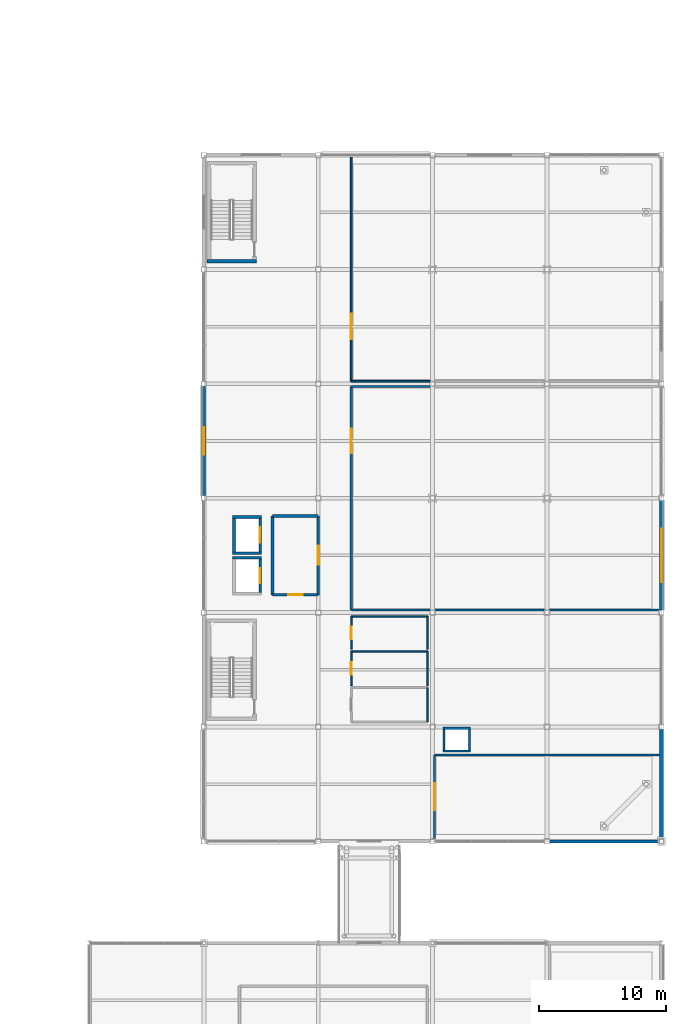
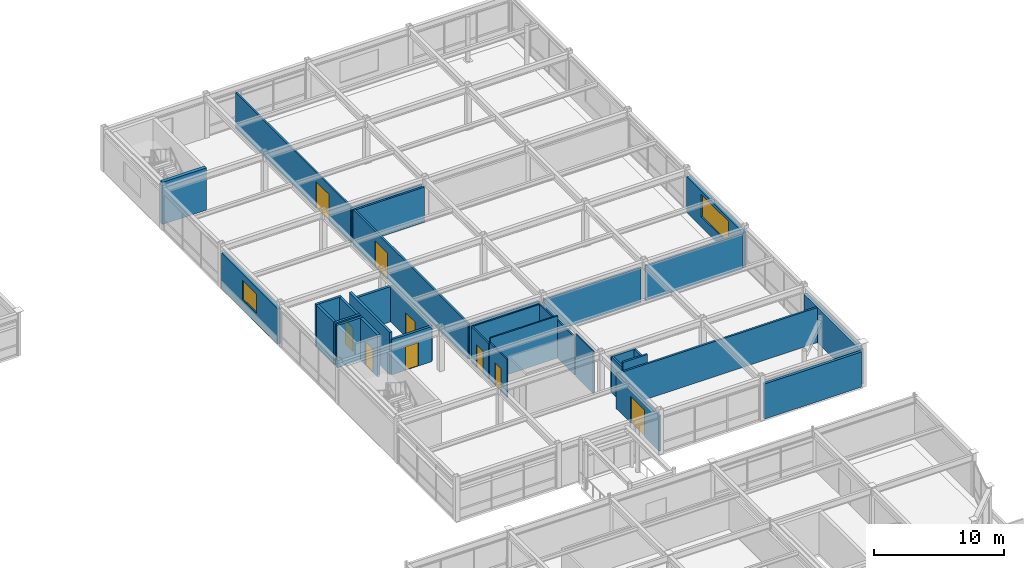
# One storey, part 50 of 70: 35 walls, 9 doors, 2 windows, 11 openings.
"""IFC4 building model written with IfcOpenShell, lengths in metres."""

from ifc_helpers import new_model, si_unit, direction, frame, frame_2d, origin, place, context, subcontext, project, spatial, rectangle, extrude, material, layer, layer_set, type_object, element, fill, save


model = new_model("IFC4")

# Units and contexts
model_context = context("Model", 3, precision=1e-05, world=origin(), true_north=direction((0.0, 1.0)))
body_context = subcontext(model_context, "Body", "Model", "MODEL_VIEW")
ifc_project = project(units=[si_unit("LENGTHUNIT", "METRE"), si_unit("AREAUNIT", "SQUARE_METRE"), si_unit("VOLUMEUNIT", "CUBIC_METRE"), si_unit("PLANEANGLEUNIT", "RADIAN"), si_unit("MASSUNIT", "GRAM", prefix="KILO")], contexts=[model_context])

# Site, building, storey
site_placement = place(None, origin())
site = spatial("IfcSite", under=ifc_project, at=site_placement, CompositionType="ELEMENT")
building_placement = place(site_placement, origin())
building = spatial("IfcBuilding", under=site, at=building_placement, Name="Suzunagisa Mobility Hub", CompositionType="ELEMENT")
storey_placement = place(building_placement, frame((0.0, 0.0, 13.5)))
storey = spatial("IfcBuildingStorey", under=building, at=storey_placement, Name="L03", CompositionType="ELEMENT", Elevation=13.5)

# Wall, opening, window
ifc_material_1 = material(Name="Porcelain-Faced Insulated Concrete C30/37 Wall", Category="concrete")
ifc_layer_1 = layer(ifc_material_1, 0.260009765625)
ifc_layer_set_1 = layer_set([ifc_layer_1], Name="Porcelain-Faced Insulated Concrete C30/37 Wall")
wall_type_1 = type_object("IfcWallType", Name="Exterior Wall EW-03 260mm", PredefinedType="SOLIDWALL", material=ifc_layer_set_1)
wall_1_placement = place(storey_placement, frame((144.0, 79.800048828125, 0.0), z_axis=(0.0, 0.0, 1.0), x_axis=(0.0, -1.0, 0.0)))
wall_1 = element("IfcWall", 1, at=wall_1_placement, inside=storey, type_object=wall_type_1, Name="L03 Exterior Facade Wall EW-390", PredefinedType="SOLIDWALL", context=body_context, shape_type="SweptSolid", body=[
    extrude(rectangle(XDim=8.60009765625, YDim=0.260009765625, at=frame_2d((4.300048828125, 0.0))), origin(), (0.0, 0.0, 1.0), 3.362060546875),
])
opening_1_placement = place(wall_1_placement, frame((3.199951171875, 0.0, 0.949951171875)))
opening_1 = element("IfcOpeningElement", 2, at=opening_1_placement, cuts=wall_1, Name="Opening WN-08", PredefinedType="OPENING", context=body_context, shape_type="SweptSolid", body=[
    extrude(rectangle(XDim=2.199951171875, YDim=1.800048828125, at=frame_2d((1.10009765625, 0.89990234375))), frame((0.0, 0.14111328125, 0.0), z_axis=(0.0, -1.0, 0.0), x_axis=(1.0, 0.0, 0.0)), (0.0, 0.0, 1.0), 0.281982421875),
])
ifc_material_2 = material(Name="Thermally Broken Anodized Aluminum and Low-E Double Glazing", Category="aluminium")
window_type_1 = type_object("IfcWindowType", Name="Aluminum Window WN-08 2200x1800", PartitioningType="SINGLE_PANEL", PredefinedType="WINDOW", material=ifc_material_2)
window_1_placement = place(opening_1_placement, origin())
window_1 = element("IfcWindow", 3, at=window_1_placement, inside=storey, type_object=window_type_1, Name="L03 Scheduled Facade Window WN-134", OverallHeight=1.800048828125, OverallWidth=2.199951171875, PartitioningType="SINGLE_PANEL", PredefinedType="WINDOW", context=body_context, shape_type="SweptSolid", body=[
    extrude(rectangle(XDim=2.199951171875, YDim=1.800048828125, at=frame_2d((1.10009765625, 0.89990234375))), frame((0.0, 0.030029296875, 0.0), z_axis=(0.0, -1.0, 0.0), x_axis=(1.0, 0.0, 0.0)), (0.0, 0.0, 1.0), 0.06005859375),
])
fill(opening_1, window_1)

# Wall
ifc_material_3 = material(Name="Lightweight Insulated Autoclaved Concrete C30/37 Wall", Category="concrete")
ifc_layer_2 = layer(ifc_material_3, 0.239990234375)
ifc_layer_set_2 = layer_set([ifc_layer_2], Name="Lightweight Insulated Autoclaved Concrete C30/37 Wall")
wall_type_2 = type_object("IfcWallType", Name="Exterior Wall EW-04 240mm", PredefinedType="SOLIDWALL", material=ifc_layer_set_2)
wall_2_placement = place(storey_placement, frame((171.199951171875, 44.0, 0.0), z_axis=(0.0, 0.0, 1.0), x_axis=(1.0, 0.0, 0.0)))
element("IfcWall", 4, at=wall_2_placement, inside=storey, type_object=wall_type_2, Name="L03 Exterior Facade Wall EW-383", PredefinedType="SOLIDWALL", context=body_context, shape_type="SweptSolid", body=[
    extrude(rectangle(XDim=8.60009765625, YDim=0.239990234375, at=frame_2d((4.300048828125, 0.0))), origin(), (0.0, 0.0, 1.0), 3.2900390625),
])

# Wall, opening, window
ifc_layer_3 = layer(ifc_material_1, 0.280029296875)
ifc_layer_set_3 = layer_set([ifc_layer_3], Name="Porcelain-Faced Insulated Concrete C30/37 Wall")
wall_type_3 = type_object("IfcWallType", Name="Exterior Wall EW-08 280mm", PredefinedType="SOLIDWALL", material=ifc_layer_set_3)
wall_3_placement = place(storey_placement, frame((180.0, 62.199951171875, 0.0), z_axis=(0.0, 0.0, 1.0), x_axis=(0.0, 1.0, 0.0)))
wall_3 = element("IfcWall", 5, at=wall_3_placement, inside=storey, type_object=wall_type_3, Name="L03 Exterior Facade Wall EW-385", PredefinedType="SOLIDWALL", context=body_context, shape_type="SweptSolid", body=[
    extrude(rectangle(XDim=8.60009765625, YDim=0.280029296875, at=frame_2d((4.300048828125, 0.0))), origin(), (0.0, 0.0, 1.0), 3.362060546875),
])
opening_2_placement = place(wall_3_placement, frame((2.199951171875, 0.0, 0.949951171875)))
opening_2 = element("IfcOpeningElement", 6, at=opening_2_placement, cuts=wall_3, Name="Opening WN-16", PredefinedType="OPENING", context=body_context, shape_type="SweptSolid", body=[
    extrude(rectangle(XDim=4.199951171875, YDim=2.10009765625, at=frame_2d((2.10009765625, 1.050048828125))), frame((0.0, 0.15087890625, 0.0), z_axis=(0.0, -1.0, 0.0), x_axis=(1.0, 0.0, 0.0)), (0.0, 0.0, 1.0), 0.302001953125),
])
window_type_2 = type_object("IfcWindowType", Name="Aluminum Window WN-16 4200x2100", PartitioningType="SINGLE_PANEL", PredefinedType="WINDOW", material=ifc_material_2)
window_2_placement = place(opening_2_placement, origin())
window_2 = element("IfcWindow", 7, at=window_2_placement, inside=storey, type_object=window_type_2, Name="L03 Scheduled Facade Window WN-129", OverallHeight=2.10009765625, OverallWidth=4.199951171875, PartitioningType="SINGLE_PANEL", PredefinedType="WINDOW", context=body_context, shape_type="SweptSolid", body=[
    extrude(rectangle(XDim=4.199951171875, YDim=2.10009765625, at=frame_2d((2.10009765625, 1.050048828125))), frame((0.0, 0.030029296875, 0.0), z_axis=(0.0, -1.0, 0.0), x_axis=(1.0, 0.0, 0.0)), (0.0, 0.0, 1.0), 0.06005859375),
])
fill(opening_2, window_2)

# Walls
ifc_material_4 = material(Name="Insulated Precast Concrete C35/45 Panel", Category="concrete")
ifc_layer_4 = layer(ifc_material_4, 0.300048828125)
ifc_layer_set_4 = layer_set([ifc_layer_4], Name="Insulated Precast Concrete C35/45 Panel")
wall_type_4 = type_object("IfcWallType", Name="Exterior Wall EW-09 300mm", PredefinedType="SOLIDWALL", material=ifc_layer_set_4)
wall_4_placement = place(storey_placement, frame((180.0, 44.199951171875, 0.0), z_axis=(0.0, 0.0, 1.0), x_axis=(0.0, 1.0, 0.0)))
element("IfcWall", 8, at=wall_4_placement, inside=storey, type_object=wall_type_4, Name="L03 Exterior Facade Wall EW-384", PredefinedType="SOLIDWALL", context=body_context, shape_type="SweptSolid", body=[
    extrude(rectangle(XDim=8.60009765625, YDim=0.300048828125, at=frame_2d((4.300048828125, 0.0))), origin(), (0.0, 0.0, 1.0), 3.2900390625),
])
ifc_material_5 = material(Name="Concrete C35/45", Category="concrete")
ifc_layer_5 = layer(ifc_material_5, 0.31005859375)
ifc_layer_set_5 = layer_set([ifc_layer_5], Name="Concrete C35/45")
wall_type_5 = type_object("IfcWallType", Name="Interior Wall IW-01 310mm", PredefinedType="SHEAR", material=ifc_layer_set_5)
wall_5_placement = place(storey_placement, frame((144.25, 89.64501953125, 0.0), z_axis=(0.0, 0.0, 1.0), x_axis=(1.0, 0.0, 0.0)))
element("IfcWall", 9, at=wall_5_placement, inside=storey, type_object=wall_type_5, Name="L03 Core C5B Shear Wall SW-477", PredefinedType="SHEAR", context=body_context, shape_type="SweptSolid", body=[
    extrude(rectangle(XDim=3.89990234375, YDim=0.31005859375, at=frame_2d((1.949951171875, 0.0))), origin(), (0.0, 0.0, 1.0), 3.949951171875),
])
ifc_material_6 = material(Name="Moisture-Resistant Gypsum Partition", Category="gypsum")
ifc_layer_6 = layer(ifc_material_6, 0.1201171875)
ifc_layer_set_6 = layer_set([ifc_layer_6], Name="Moisture-Resistant Gypsum Partition")
wall_type_6 = type_object("IfcWallType", Name="Interior Wall IW-02 120mm", PredefinedType="PARTITIONING", material=ifc_layer_set_6)
wall_6_placement = place(storey_placement, frame((161.60009765625, 53.39990234375, 0.0), z_axis=(0.0, 0.0, 1.0), x_axis=(0.0, 1.0, 0.0)))
element("IfcWall", 10, at=wall_6_placement, inside=storey, type_object=wall_type_6, Name="L03 Male Restroom WC L03 Partition PW-608", PredefinedType="PARTITIONING", context=body_context, shape_type="SweptSolid", body=[
    extrude(rectangle(XDim=2.7001953125, YDim=0.1201171875, at=frame_2d((1.35009765625, 0.0))), origin(), (0.0, 0.0, 1.0), 3.949951171875),
])
wall_7_placement = place(storey_placement, frame((155.60009765625, 58.949951171875, 0.0), z_axis=(0.0, 0.0, 1.0), x_axis=(1.0, 0.0, 0.0)))
element("IfcWall", 11, at=wall_7_placement, inside=storey, type_object=wall_type_6, Name="L03 Female Restroom WC L03 Partition PW-609", PredefinedType="PARTITIONING", context=body_context, shape_type="SweptSolid", body=[
    extrude(rectangle(XDim=6.0, YDim=0.1201171875, at=frame_2d((3.0, 0.0))), origin(), (0.0, 0.0, 1.0), 3.949951171875),
])

# Wall, opening, door
wall_8_placement = place(storey_placement, frame((155.60009765625, 56.25, 0.0), z_axis=(0.0, 0.0, 1.0), x_axis=(0.0, 1.0, 0.0)))
wall_8 = element("IfcWall", 12, at=wall_8_placement, inside=storey, type_object=wall_type_6, Name="L03 Female Restroom WC L03 Partition PW-610", PredefinedType="PARTITIONING", context=body_context, shape_type="SweptSolid", body=[
    extrude(rectangle(XDim=2.699951171875, YDim=0.1201171875, at=frame_2d((1.35009765625, 0.0))), origin(), (0.0, 0.0, 1.0), 3.550048828125),
])
opening_3_placement = place(wall_8_placement, frame((0.875, 0.0, 0.0)))
opening_3 = element("IfcOpeningElement", 13, at=opening_3_placement, cuts=wall_8, Name="Opening DR-19", PredefinedType="OPENING", context=body_context, shape_type="SweptSolid", body=[
    extrude(rectangle(XDim=0.949951171875, YDim=2.14990234375, at=frame_2d((0.47509765625, 1.074951171875))), frame((0.0, 0.071044921875, 0.0), z_axis=(0.0, -1.0, 0.0), x_axis=(1.0, 0.0, 0.0)), (0.0, 0.0, 1.0), 0.14208984375),
])
ifc_material_7 = material(Name="Sanitary Restroom Acoustic Door")
door_type_1 = type_object("IfcDoorType", Name="Interior Door DR-19 950x2150", OperationType="SINGLE_SWING_LEFT", PredefinedType="DOOR", material=ifc_material_7)
door_1_placement = place(opening_3_placement, origin())
door_1 = element("IfcDoor", 14, at=door_1_placement, inside=storey, type_object=door_type_1, Name="L03 Female Restroom WC L03 Door DR-150", OperationType="SINGLE_SWING_LEFT", OverallHeight=2.14990234375, OverallWidth=0.949951171875, PredefinedType="DOOR", context=body_context, shape_type="SweptSolid", body=[
    extrude(rectangle(XDim=0.949951171875, YDim=2.14990234375, at=frame_2d((0.47509765625, 1.074951171875))), frame((0.0, 0.02490234375, 0.0), z_axis=(0.0, -1.0, 0.0), x_axis=(1.0, 0.0, 0.0)), (0.0, 0.0, 1.0), 0.050048828125),
])
fill(opening_3, door_1)

# Walls
wall_9_placement = place(storey_placement, frame((161.60009765625, 56.25, 0.0), z_axis=(0.0, 0.0, 1.0), x_axis=(0.0, 1.0, 0.0)))
element("IfcWall", 15, at=wall_9_placement, inside=storey, type_object=wall_type_6, Name="L03 Female Restroom WC L03 Partition PW-611", PredefinedType="PARTITIONING", context=body_context, shape_type="SweptSolid", body=[
    extrude(rectangle(XDim=2.699951171875, YDim=0.1201171875, at=frame_2d((1.35009765625, 0.0))), origin(), (0.0, 0.0, 1.0), 3.550048828125),
])
wall_10_placement = place(storey_placement, frame((155.60009765625, 61.699951171875, 0.0), z_axis=(0.0, 0.0, 1.0), x_axis=(1.0, 0.0, 0.0)))
element("IfcWall", 16, at=wall_10_placement, inside=storey, type_object=wall_type_6, Name="L03 Accessible Restroom WC L03 Partition PW-612", PredefinedType="PARTITIONING", context=body_context, shape_type="SweptSolid", body=[
    extrude(rectangle(XDim=6.0, YDim=0.1201171875, at=frame_2d((3.0, 0.0))), origin(), (0.0, 0.0, 1.0), 3.362060546875),
])

# Wall, opening, door
wall_11_placement = place(storey_placement, frame((155.60009765625, 59.10009765625, 0.0), z_axis=(0.0, 0.0, 1.0), x_axis=(0.0, 1.0, 0.0)))
wall_11 = element("IfcWall", 17, at=wall_11_placement, inside=storey, type_object=wall_type_6, Name="L03 Accessible Restroom WC L03 Partition PW-613", PredefinedType="PARTITIONING", context=body_context, shape_type="SweptSolid", body=[
    extrude(rectangle(XDim=2.599853515625, YDim=0.1201171875, at=frame_2d((1.2998046875, 0.0))), origin(), (0.0, 0.0, 1.0), 3.362060546875),
])
opening_4_placement = place(wall_11_placement, frame((0.800048828125, 0.0, 0.0)))
opening_4 = element("IfcOpeningElement", 18, at=opening_4_placement, cuts=wall_11, Name="Opening DR-01", PredefinedType="OPENING", context=body_context, shape_type="SweptSolid", body=[
    extrude(rectangle(XDim=1.0, YDim=2.14990234375, at=frame_2d((0.5, 1.074951171875))), frame((0.0, 0.071044921875, 0.0), z_axis=(0.0, -1.0, 0.0), x_axis=(1.0, 0.0, 0.0)), (0.0, 0.0, 1.0), 0.14208984375),
])
ifc_material_8 = material(Name="Barrier-Free Accessible WC Door")
door_type_2 = type_object("IfcDoorType", Name="Interior Door DR-01 1000x2150", OperationType="SINGLE_SWING_LEFT", PredefinedType="DOOR", material=ifc_material_8)
door_2_placement = place(opening_4_placement, origin())
door_2 = element("IfcDoor", 19, at=door_2_placement, inside=storey, type_object=door_type_2, Name="L03 Accessible Restroom WC L03 Door DR-151", OperationType="SINGLE_SWING_RIGHT", OverallHeight=2.14990234375, OverallWidth=1.0, PredefinedType="DOOR", context=body_context, shape_type="SweptSolid", body=[
    extrude(rectangle(XDim=1.0, YDim=2.14990234375, at=frame_2d((0.5, 1.074951171875))), frame((0.0, 0.02490234375, 0.0), z_axis=(0.0, -1.0, 0.0), x_axis=(1.0, 0.0, 0.0)), (0.0, 0.0, 1.0), 0.050048828125),
])
fill(opening_4, door_2)

# Wall
wall_12_placement = place(storey_placement, frame((161.60009765625, 59.10009765625, 0.0), z_axis=(0.0, 0.0, 1.0), x_axis=(0.0, 1.0, 0.0)))
element("IfcWall", 20, at=wall_12_placement, inside=storey, type_object=wall_type_6, Name="L03 Accessible Restroom WC L03 Partition PW-614", PredefinedType="PARTITIONING", context=body_context, shape_type="SweptSolid", body=[
    extrude(rectangle(XDim=2.599853515625, YDim=0.1201171875, at=frame_2d((1.2998046875, 0.0))), origin(), (0.0, 0.0, 1.0), 3.362060546875),
])

# Wall, opening, door
ifc_material_9 = material(Name="Fire-Rated Gypsum Stud Partition", Category="gypsum")
ifc_layer_7 = layer(ifc_material_9, 0.2099609375)
ifc_layer_set_7 = layer_set([ifc_layer_7], Name="Fire-Rated Gypsum Stud Partition")
wall_type_7 = type_object("IfcWallType", Name="Interior Wall IW-03 210mm", PredefinedType="PARTITIONING", material=ifc_layer_set_7)
wall_13_placement = place(storey_placement, frame((148.425048828125, 63.580078125, 0.0), z_axis=(0.0, 0.0, 1.0), x_axis=(0.0, 1.0, 0.0)))
wall_13 = element("IfcWall", 21, at=wall_13_placement, inside=storey, type_object=wall_type_7, Name="L03 Lift LF-05 Shaft Front Wall", PredefinedType="PARTITIONING", context=body_context, shape_type="SweptSolid", body=[
    extrude(rectangle(XDim=2.639892578125, YDim=0.2099609375, at=frame_2d((1.31982421875, 0.0))), origin(), (0.0, 0.0, 1.0), 3.949951171875),
])
opening_5_placement = place(wall_13_placement, frame((0.719970703125, 0.0, 0.0)))
opening_5 = element("IfcOpeningElement", 22, at=opening_5_placement, cuts=wall_13, Name="Opening LD-03", PredefinedType="OPENING", context=body_context, shape_type="SweptSolid", body=[
    extrude(rectangle(XDim=1.199951171875, YDim=2.199951171875, at=frame_2d((0.60009765625, 1.10009765625))), frame((0.0, 0.115966796875, 0.0), z_axis=(0.0, -1.0, 0.0), x_axis=(1.0, 0.0, 0.0)), (0.0, 0.0, 1.0), 0.23193359375),
])
ifc_material_10 = material(Name="Brushed Stainless Steel SUS304", Category="metal")
door_type_3 = type_object("IfcDoorType", Name="Lift Landing Sliding Door LD-03 1200x2200", OperationType="SLIDING_TO_LEFT", PredefinedType="DOOR", material=ifc_material_10)
door_3_placement = place(opening_5_placement, origin())
door_3 = element("IfcDoor", 23, at=door_3_placement, inside=storey, type_object=door_type_3, Name="L03 Lift LF-05 Sliding Landing Door", OperationType="SLIDING_TO_RIGHT", OverallHeight=2.199951171875, OverallWidth=1.199951171875, PredefinedType="DOOR", context=body_context, shape_type="SweptSolid", body=[
    extrude(rectangle(XDim=1.199951171875, YDim=2.199951171875, at=frame_2d((0.60009765625, 1.10009765625))), frame((0.0, 0.02490234375, 0.0), z_axis=(0.0, -1.0, 0.0), x_axis=(1.0, 0.0, 0.0)), (0.0, 0.0, 1.0), 0.050048828125),
])
fill(opening_5, door_3)

# Wall
wall_14_placement = place(storey_placement, frame((146.27001953125, 66.324951171875, 0.0), z_axis=(0.0, 0.0, 1.0), x_axis=(1.0, 0.0, 0.0)))
element("IfcWall", 24, at=wall_14_placement, inside=storey, type_object=wall_type_7, Name="L03 Lift LF-05 Shaft North Wall", PredefinedType="PARTITIONING", context=body_context, shape_type="SweptSolid", body=[
    extrude(rectangle(XDim=2.260009765625, YDim=0.2099609375, at=frame_2d((1.1298828125, 0.0))), origin(), (0.0, 0.0, 1.0), 3.949951171875),
])

# Wall, opening, door
wall_15_placement = place(storey_placement, frame((148.425048828125, 66.780029296875, 0.0), z_axis=(0.0, 0.0, 1.0), x_axis=(0.0, 1.0, 0.0)))
wall_15 = element("IfcWall", 25, at=wall_15_placement, inside=storey, type_object=wall_type_7, Name="L03 Lift LF-06 Shaft Front Wall", PredefinedType="PARTITIONING", context=body_context, shape_type="SweptSolid", body=[
    extrude(rectangle(XDim=2.639892578125, YDim=0.2099609375, at=frame_2d((1.31982421875, 0.0))), origin(), (0.0, 0.0, 1.0), 3.949951171875),
])
opening_6_placement = place(wall_15_placement, frame((0.719970703125, 0.0, 0.0)))
opening_6 = element("IfcOpeningElement", 26, at=opening_6_placement, cuts=wall_15, Name="Opening LD-03", PredefinedType="OPENING", context=body_context, shape_type="SweptSolid", body=[
    extrude(rectangle(XDim=1.199951171875, YDim=2.199951171875, at=frame_2d((0.60009765625, 1.10009765625))), frame((0.0, 0.115966796875, 0.0), z_axis=(0.0, -1.0, 0.0), x_axis=(1.0, 0.0, 0.0)), (0.0, 0.0, 1.0), 0.23193359375),
])
door_4_placement = place(opening_6_placement, origin())
door_4 = element("IfcDoor", 27, at=door_4_placement, inside=storey, type_object=door_type_3, Name="L03 Lift LF-06 Sliding Landing Door", OperationType="SLIDING_TO_LEFT", OverallHeight=2.199951171875, OverallWidth=1.199951171875, PredefinedType="DOOR", context=body_context, shape_type="SweptSolid", body=[
    extrude(rectangle(XDim=1.199951171875, YDim=2.199951171875, at=frame_2d((0.60009765625, 1.10009765625))), frame((0.0, 0.02490234375, 0.0), z_axis=(0.0, -1.0, 0.0), x_axis=(1.0, 0.0, 0.0)), (0.0, 0.0, 1.0), 0.050048828125),
])
fill(opening_6, door_4)

# Walls
wall_16_placement = place(storey_placement, frame((146.375, 66.780029296875, 0.0), z_axis=(0.0, 0.0, 1.0), x_axis=(0.0, 1.0, 0.0)))
element("IfcWall", 28, at=wall_16_placement, inside=storey, type_object=wall_type_7, Name="L03 Lift LF-06 Shaft Back Wall", PredefinedType="PARTITIONING", context=body_context, shape_type="SweptSolid", body=[
    extrude(rectangle(XDim=2.639892578125, YDim=0.2099609375, at=frame_2d((1.31982421875, 0.0))), origin(), (0.0, 0.0, 1.0), 3.949951171875),
])
for number, where, z_axis, x_axis, name in (
    (29, (146.27001953125, 66.675048828125, 0.0), (0.0, 0.0, 1.0), (1.0, 0.0, 0.0), "L03 Lift LF-06 Shaft South Wall"),
    (30, (146.27001953125, 69.52490234375, 0.0), (0.0, 0.0, 1.0), (1.0, 0.0, 0.0), "L03 Lift LF-06 Shaft North Wall"),
):
    element("IfcWall", number, at=place(storey_placement, frame(where, z_axis=z_axis, x_axis=x_axis)), inside=storey, type_object=wall_type_7, Name=name, PredefinedType="PARTITIONING", context=body_context, shape_type="SweptSolid", body=[
        extrude(rectangle(XDim=2.260009765625, YDim=0.2099609375, at=frame_2d((1.1298828125, 0.0))), origin(), (0.0, 0.0, 1.0), 3.949951171875),
    ])

# Wall, opening, door
wall_17_placement = place(storey_placement, frame((149.39990234375, 63.39990234375, 0.0), z_axis=(0.0, 0.0, 1.0), x_axis=(1.0, 0.0, 0.0)))
wall_17 = element("IfcWall", 31, at=wall_17_placement, inside=storey, type_object=wall_type_7, Name="L03 Firefighting Lift Lobby L03 Partition PW-549", PredefinedType="PARTITIONING", context=body_context, shape_type="SweptSolid", body=[
    extrude(rectangle(XDim=3.60009765625, YDim=0.2099609375, at=frame_2d((1.800048828125, 0.0))), origin(), (0.0, 0.0, 1.0), 3.300048828125),
])
opening_7_placement = place(wall_17_placement, frame((1.22509765625, 0.0, 0.0)))
opening_7 = element("IfcOpeningElement", 32, at=opening_7_placement, cuts=wall_17, Name="Opening DR-20", PredefinedType="OPENING", context=body_context, shape_type="SweptSolid", body=[
    extrude(rectangle(XDim=1.14990234375, YDim=2.199951171875, at=frame_2d((0.574951171875, 1.10009765625))), frame((0.0, 0.115966796875, 0.0), z_axis=(0.0, -1.0, 0.0), x_axis=(1.0, 0.0, 0.0)), (0.0, 0.0, 1.0), 0.23193359375),
])
ifc_material_11 = material(Name="Fire-Rated Hollow Steel Stair Door", Category="steel")
door_type_4 = type_object("IfcDoorType", Name="Interior Door DR-20 1150x2200", OperationType="SINGLE_SWING_LEFT", PredefinedType="DOOR", material=ifc_material_11)
door_5_placement = place(opening_7_placement, origin())
door_5 = element("IfcDoor", 33, at=door_5_placement, inside=storey, type_object=door_type_4, Name="L03 Firefighting Lobby to Escape Stair Door SD-129", OperationType="SINGLE_SWING_RIGHT", OverallHeight=2.199951171875, OverallWidth=1.14990234375, PredefinedType="DOOR", context=body_context, shape_type="SweptSolid", body=[
    extrude(rectangle(XDim=1.14990234375, YDim=2.199951171875, at=frame_2d((0.574951171875, 1.10009765625))), frame((0.0, 0.02490234375, 0.0), z_axis=(0.0, -1.0, 0.0), x_axis=(1.0, 0.0, 0.0)), (0.0, 0.0, 1.0), 0.050048828125),
])
fill(opening_7, door_5)

# Walls
wall_18_placement = place(storey_placement, frame((149.39990234375, 69.60009765625, 0.0), z_axis=(0.0, 0.0, 1.0), x_axis=(1.0, 0.0, 0.0)))
element("IfcWall", 34, at=wall_18_placement, inside=storey, type_object=wall_type_7, Name="L03 Firefighting Lift Lobby L03 Partition PW-550", PredefinedType="PARTITIONING", context=body_context, shape_type="SweptSolid", body=[
    extrude(rectangle(XDim=3.60009765625, YDim=0.2099609375, at=frame_2d((1.800048828125, 0.0))), origin(), (0.0, 0.0, 1.0), 3.300048828125),
])
wall_19_placement = place(storey_placement, frame((149.39990234375, 63.39990234375, 0.0), z_axis=(0.0, 0.0, 1.0), x_axis=(0.0, 1.0, 0.0)))
element("IfcWall", 35, at=wall_19_placement, inside=storey, type_object=wall_type_7, Name="L03 Firefighting Lift Lobby L03 Partition PW-551", PredefinedType="PARTITIONING", context=body_context, shape_type="SweptSolid", body=[
    extrude(rectangle(XDim=6.2001953125, YDim=0.2099609375, at=frame_2d((3.10009765625, 0.0))), origin(), (0.0, 0.0, 1.0), 3.949951171875),
])

# Wall, opening, door
wall_20_placement = place(storey_placement, frame((153.0, 63.39990234375, 0.0), z_axis=(0.0, 0.0, 1.0), x_axis=(0.0, 1.0, 0.0)))
wall_20 = element("IfcWall", 36, at=wall_20_placement, inside=storey, type_object=wall_type_7, Name="L03 Firefighting Lift Lobby L03 Partition PW-552", PredefinedType="PARTITIONING", context=body_context, shape_type="SweptSolid", body=[
    extrude(rectangle(XDim=6.2001953125, YDim=0.2099609375, at=frame_2d((3.10009765625, 0.0))), origin(), (0.0, 0.0, 1.0), 3.300048828125),
])
opening_8_placement = place(wall_20_placement, frame((2.35009765625, 0.0, 0.0)))
opening_8 = element("IfcOpeningElement", 37, at=opening_8_placement, cuts=wall_20, Name="Opening DR-15", PredefinedType="OPENING", context=body_context, shape_type="SweptSolid", body=[
    extrude(rectangle(XDim=1.5, YDim=2.25, at=frame_2d((0.75, 1.125))), frame((0.0, 0.115966796875, 0.0), z_axis=(0.0, -1.0, 0.0), x_axis=(1.0, 0.0, 0.0)), (0.0, 0.0, 1.0), 0.23193359375),
])
ifc_material_12 = material(Name="Smoke-Control Double Fire Door")
door_type_5 = type_object("IfcDoorType", Name="Interior Door DR-15 1500x2250", OperationType="SINGLE_SWING_LEFT", PredefinedType="DOOR", material=ifc_material_12)
door_6_placement = place(opening_8_placement, origin())
door_6 = element("IfcDoor", 38, at=door_6_placement, inside=storey, type_object=door_type_5, Name="L03 Firefighting Lift Lobby L03 Door DR-130", OperationType="SINGLE_SWING_LEFT", OverallHeight=2.25, OverallWidth=1.5, PredefinedType="DOOR", context=body_context, shape_type="SweptSolid", body=[
    extrude(rectangle(XDim=1.5, YDim=2.25, at=frame_2d((0.75, 1.125))), frame((0.0, 0.02490234375, 0.0), z_axis=(0.0, -1.0, 0.0), x_axis=(1.0, 0.0, 0.0)), (0.0, 0.0, 1.0), 0.050048828125),
])
fill(opening_8, door_6)

# Walls
ifc_layer_8 = layer(ifc_material_9, 0.169921875)
ifc_layer_set_8 = layer_set([ifc_layer_8], Name="Fire-Rated Gypsum Stud Partition")
wall_type_8 = type_object("IfcWallType", Name="Interior Wall IW-05 170mm", PredefinedType="PARTITIONING", material=ifc_layer_set_8)
wall_21_placement = place(storey_placement, frame((162.81494140625, 51.10009765625, 0.0), z_axis=(0.0, 0.0, 1.0), x_axis=(1.0, 0.0, 0.0)))
element("IfcWall", 39, at=wall_21_placement, inside=storey, type_object=wall_type_8, Name="L03 MEP Service Riser Wall RW-517", PredefinedType="PARTITIONING", context=body_context, shape_type="SweptSolid", body=[
    extrude(rectangle(XDim=2.170166015625, YDim=0.169921875, at=frame_2d((1.0849609375, 0.0))), origin(), (0.0, 0.0, 1.0), 3.919921875),
])
wall_22_placement = place(storey_placement, frame((162.81494140625, 52.89990234375, 0.0), z_axis=(0.0, 0.0, 1.0), x_axis=(1.0, 0.0, 0.0)))
element("IfcWall", 40, at=wall_22_placement, inside=storey, type_object=wall_type_8, Name="L03 MEP Service Riser Wall RW-518", PredefinedType="PARTITIONING", context=body_context, shape_type="SweptSolid", body=[
    extrude(rectangle(XDim=2.170166015625, YDim=0.169921875, at=frame_2d((1.0849609375, 0.0))), origin(), (0.0, 0.0, 1.0), 3.362060546875),
])
for number, where, z_axis, x_axis, name in (
    (41, (162.89990234375, 51.18505859375, 0.0), (0.0, 0.0, 1.0), (0.0, 1.0, 0.0), "L03 MEP Service Riser Wall RW-519"),
    (42, (164.89990234375, 51.18505859375, 0.0), (0.0, 0.0, 1.0), (0.0, 1.0, 0.0), "L03 MEP Service Riser Wall RW-520"),
):
    element("IfcWall", number, at=place(storey_placement, frame(where, z_axis=z_axis, x_axis=x_axis)), inside=storey, type_object=wall_type_8, Name=name, PredefinedType="PARTITIONING", context=body_context, shape_type="SweptSolid", body=[
        extrude(rectangle(XDim=1.6298828125, YDim=0.169921875, at=frame_2d((0.81494140625, 0.0))), origin(), (0.0, 0.0, 1.0), 3.362060546875),
    ])
wall_23_placement = place(storey_placement, frame((155.60009765625, 62.199951171875, 0.0), z_axis=(0.0, 0.0, 1.0), x_axis=(1.0, 0.0, 0.0)))
element("IfcWall", 43, at=wall_23_placement, inside=storey, type_object=wall_type_8, Name="L03 Civic Disaster Prevention Bosai Briefing Centre Partition PW-851", PredefinedType="PARTITIONING", context=body_context, shape_type="SweptSolid", body=[
    extrude(rectangle(XDim=6.199951171875, YDim=0.169921875, at=frame_2d((3.10009765625, 0.0))), origin(), (0.0, 0.0, 1.0), 3.300048828125),
])
for number, where, z_axis, x_axis, name in (
    (44, (162.199951171875, 62.199951171875, 0.0), (0.0, 0.0, 1.0), (1.0, 0.0, 0.0), "L03 Civic Disaster Prevention Bosai Briefing Centre Partition PW-852"),
    (45, (171.199951171875, 62.199951171875, 0.0), (0.0, 0.0, 1.0), (1.0, 0.0, 0.0), "L03 Civic Disaster Prevention Bosai Briefing Centre Partition PW-853"),
):
    element("IfcWall", number, at=place(storey_placement, frame(where, z_axis=z_axis, x_axis=x_axis)), inside=storey, type_object=wall_type_8, Name=name, PredefinedType="PARTITIONING", context=body_context, shape_type="SweptSolid", body=[
        extrude(rectangle(XDim=8.60009765625, YDim=0.169921875, at=frame_2d((4.300048828125, 0.0))), origin(), (0.0, 0.0, 1.0), 3.300048828125),
    ])
wall_24_placement = place(storey_placement, frame((155.60009765625, 79.800048828125, 0.0), z_axis=(0.0, 0.0, 1.0), x_axis=(1.0, 0.0, 0.0)))
element("IfcWall", 46, at=wall_24_placement, inside=storey, type_object=wall_type_8, Name="L03 Civic Disaster Prevention Bosai Briefing Centre Partition PW-854", PredefinedType="PARTITIONING", context=body_context, shape_type="SweptSolid", body=[
    extrude(rectangle(XDim=6.199951171875, YDim=0.169921875, at=frame_2d((3.10009765625, 0.0))), origin(), (0.0, 0.0, 1.0), 3.300048828125),
])

# Wall, opening, door
wall_25_placement = place(storey_placement, frame((155.60009765625, 62.199951171875, 0.0), z_axis=(0.0, 0.0, 1.0), x_axis=(0.0, 1.0, 0.0)))
wall_25 = element("IfcWall", 47, at=wall_25_placement, inside=storey, type_object=wall_type_8, Name="L03 Civic Disaster Prevention Bosai Briefing Centre Partition PW-857", PredefinedType="PARTITIONING", context=body_context, shape_type="SweptSolid", body=[
    extrude(rectangle(XDim=17.60009765625, YDim=0.169921875, at=frame_2d((8.800048828125, 0.0))), origin(), (0.0, 0.0, 1.0), 3.362060546875),
])
opening_9_placement = place(wall_25_placement, frame((12.340087890625, 0.0, 0.0)))
opening_9 = element("IfcOpeningElement", 48, at=opening_9_placement, cuts=wall_25, Name="Opening DR-18", PredefinedType="OPENING", context=body_context, shape_type="SweptSolid", body=[
    extrude(rectangle(XDim=1.919921875, YDim=2.449951171875, at=frame_2d((0.9599609375, 1.22509765625))), frame((0.0, 0.095947265625, 0.0), z_axis=(0.0, -1.0, 0.0), x_axis=(1.0, 0.0, 0.0)), (0.0, 0.0, 1.0), 0.19189453125),
])
ifc_material_13 = material(Name="Anodized Aluminum Double Concourse Door", Category="aluminium")
door_type_6 = type_object("IfcDoorType", Name="Interior Door DR-18 1920x2450", OperationType="SINGLE_SWING_LEFT", PredefinedType="DOOR", material=ifc_material_13)
door_7_placement = place(opening_9_placement, origin())
door_7 = element("IfcDoor", 49, at=door_7_placement, inside=storey, type_object=door_type_6, Name="L03 Civic Disaster Prevention Bosai Briefing Centre Door DR-213", OperationType="SINGLE_SWING_RIGHT", OverallHeight=2.449951171875, OverallWidth=1.919921875, PredefinedType="DOOR", context=body_context, shape_type="SweptSolid", body=[
    extrude(rectangle(XDim=1.919921875, YDim=2.449951171875, at=frame_2d((0.9599609375, 1.22509765625))), frame((0.0, 0.02490234375, 0.0), z_axis=(0.0, -1.0, 0.0), x_axis=(1.0, 0.0, 0.0)), (0.0, 0.0, 1.0), 0.050048828125),
])
fill(opening_9, door_7)

# Wall
wall_26_placement = place(storey_placement, frame((162.14990234375, 50.800048828125, 0.0), z_axis=(0.0, 0.0, 1.0), x_axis=(1.0, 0.0, 0.0)))
element("IfcWall", 50, at=wall_26_placement, inside=storey, type_object=wall_type_8, Name="L03 Community Road-Safety Classroom L03 Partition PW-862", PredefinedType="PARTITIONING", context=body_context, shape_type="SweptSolid", body=[
    extrude(rectangle(XDim=17.68505859375, YDim=0.169921875, at=frame_2d((8.842529296875, 0.0))), origin(), (0.0, 0.0, 1.0), 3.2900390625),
])

# Wall, opening, door
wall_27_placement = place(storey_placement, frame((162.14990234375, 44.199951171875, 0.0), z_axis=(0.0, 0.0, 1.0), x_axis=(0.0, 1.0, 0.0)))
wall_27 = element("IfcWall", 51, at=wall_27_placement, inside=storey, type_object=wall_type_8, Name="L03 Community Road-Safety Classroom L03 Partition PW-863", PredefinedType="PARTITIONING", context=body_context, shape_type="SweptSolid", body=[
    extrude(rectangle(XDim=6.60009765625, YDim=0.169921875, at=frame_2d((3.300048828125, 0.0))), origin(), (0.0, 0.0, 1.0), 3.300048828125),
])
opening_10_placement = place(wall_27_placement, frame((2.239990234375, 0.0, 0.0)))
opening_10 = element("IfcOpeningElement", 52, at=opening_10_placement, cuts=wall_27, Name="Opening DR-04", PredefinedType="OPENING", context=body_context, shape_type="SweptSolid", body=[
    extrude(rectangle(XDim=2.1201171875, YDim=2.5, at=frame_2d((1.06005859375, 1.25))), frame((0.0, 0.095947265625, 0.0), z_axis=(0.0, -1.0, 0.0), x_axis=(1.0, 0.0, 0.0)), (0.0, 0.0, 1.0), 0.19189453125),
])
ifc_material_14 = material(Name="Anodized Aluminum Double Pavilion Door", Category="aluminium")
door_type_7 = type_object("IfcDoorType", Name="Interior Door DR-04 2120x2500", OperationType="SINGLE_SWING_LEFT", PredefinedType="DOOR", material=ifc_material_14)
door_8_placement = place(opening_10_placement, origin())
door_8 = element("IfcDoor", 53, at=door_8_placement, inside=storey, type_object=door_type_7, Name="L03 Community Road-Safety Classroom L03 Door DR-215", OperationType="SINGLE_SWING_RIGHT", OverallHeight=2.5, OverallWidth=2.1201171875, PredefinedType="DOOR", context=body_context, shape_type="SweptSolid", body=[
    extrude(rectangle(XDim=2.1201171875, YDim=2.5, at=frame_2d((1.06005859375, 1.25))), frame((0.0, 0.02490234375, 0.0), z_axis=(0.0, -1.0, 0.0), x_axis=(1.0, 0.0, 0.0)), (0.0, 0.0, 1.0), 0.050048828125),
])
fill(opening_10, door_8)

# Wall
ifc_material_15 = material(Name="Acoustic Steel-Stud Gypsum Partition", Category="steel")
ifc_layer_9 = layer(ifc_material_15, 0.14501953125)
ifc_layer_set_9 = layer_set([ifc_layer_9], Name="Acoustic Steel-Stud Gypsum Partition")
wall_type_9 = type_object("IfcWallType", Name="Interior Wall IW-06 145mm", PredefinedType="PARTITIONING", material=ifc_layer_set_9)
wall_28_placement = place(storey_placement, frame((155.60009765625, 80.199951171875, 0.0), z_axis=(0.0, 0.0, 1.0), x_axis=(1.0, 0.0, 0.0)))
element("IfcWall", 54, at=wall_28_placement, inside=storey, type_object=wall_type_9, Name="L03 Mobility Data Analytics and Engineering Suite Partition PW-858", PredefinedType="PARTITIONING", context=body_context, shape_type="SweptSolid", body=[
    extrude(rectangle(XDim=6.199951171875, YDim=0.14501953125, at=frame_2d((3.10009765625, 0.0))), origin(), (0.0, 0.0, 1.0), 3.300048828125),
])

# Wall, opening, door
wall_29_placement = place(storey_placement, frame((155.60009765625, 80.199951171875, 0.0), z_axis=(0.0, 0.0, 1.0), x_axis=(0.0, 1.0, 0.0)))
wall_29 = element("IfcWall", 55, at=wall_29_placement, inside=storey, type_object=wall_type_9, Name="L03 Mobility Data Analytics and Engineering Suite Partition PW-861", PredefinedType="PARTITIONING", context=body_context, shape_type="SweptSolid", body=[
    extrude(rectangle(XDim=17.635009765625, YDim=0.14501953125, at=frame_2d((8.8173828125, 0.0))), origin(), (0.0, 0.0, 1.0), 3.362060546875),
])
opening_11_placement = place(wall_29_placement, frame((3.2900390625, 0.0, 0.0)))
opening_11 = element("IfcOpeningElement", 56, at=opening_11_placement, cuts=wall_29, Name="Opening DR-22", PredefinedType="OPENING", context=body_context, shape_type="SweptSolid", body=[
    extrude(rectangle(XDim=2.02001953125, YDim=2.5, at=frame_2d((1.010009765625, 1.25))), frame((0.0, 0.08349609375, 0.0), z_axis=(0.0, -1.0, 0.0), x_axis=(1.0, 0.0, 0.0)), (0.0, 0.0, 1.0), 0.1669921875),
])
door_type_8 = type_object("IfcDoorType", Name="Interior Door DR-22 2020x2500", OperationType="SINGLE_SWING_LEFT", PredefinedType="DOOR", material=ifc_material_14)
door_9_placement = place(opening_11_placement, origin())
door_9 = element("IfcDoor", 57, at=door_9_placement, inside=storey, type_object=door_type_8, Name="L03 Mobility Data Analytics and Engineering Suite Door DR-214", OperationType="SINGLE_SWING_LEFT", OverallHeight=2.5, OverallWidth=2.02001953125, PredefinedType="DOOR", context=body_context, shape_type="SweptSolid", body=[
    extrude(rectangle(XDim=2.02001953125, YDim=2.5, at=frame_2d((1.010009765625, 1.25))), frame((0.0, 0.02490234375, 0.0), z_axis=(0.0, -1.0, 0.0), x_axis=(1.0, 0.0, 0.0)), (0.0, 0.0, 1.0), 0.050048828125),
])
fill(opening_11, door_9)

save(model, "model.ifc")
